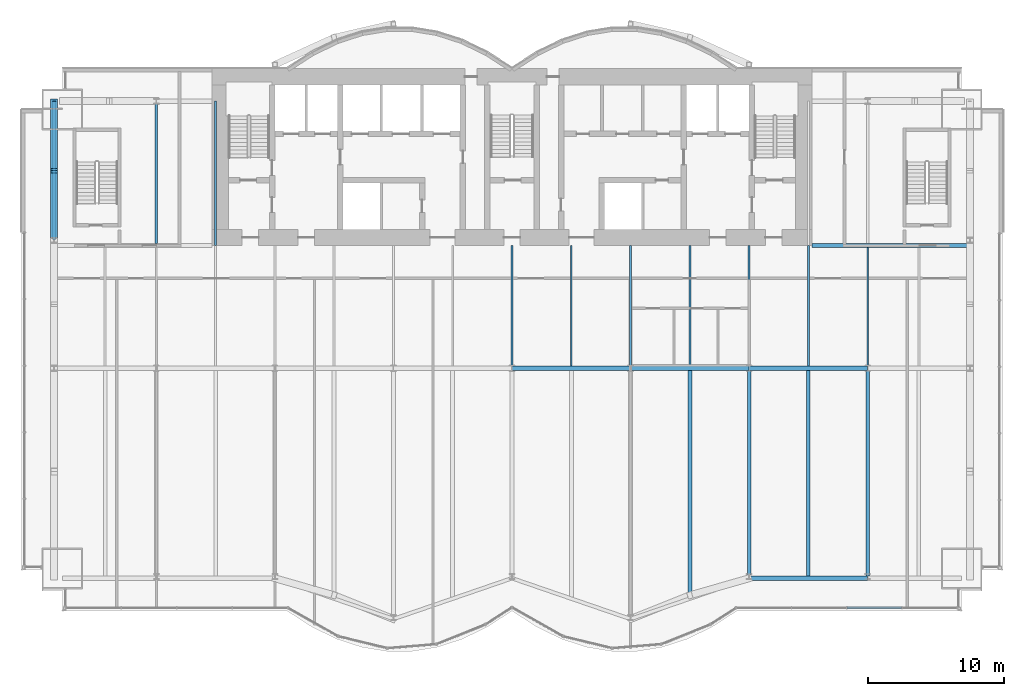
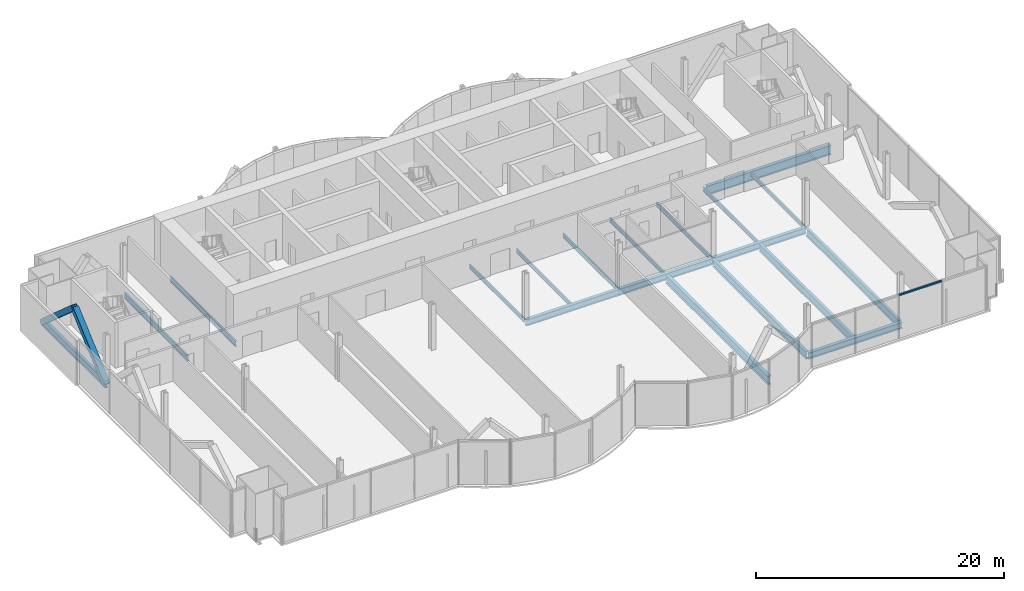
# One storey, part 9 of 21: 19 beams, 3 members, 1 element without a shape of its own.
"""IFC4 building model written with IfcOpenShell, lengths in metres."""

from ifc_helpers import new_model, si_unit, direction, frame, origin, origin_2d, place, context, subcontext, project, spatial, rectangle, hollow_rectangle, i_section, extrude, material, material_profile, profile_set, type_object, element, aggregate, save


model = new_model("IFC4")

# Units and contexts
model_context = context("Model", 3, precision=1e-05, world=origin(), true_north=direction((0.0, 1.0)))
body_context = subcontext(model_context, "Body", "Model", "MODEL_VIEW")
ifc_project = project(units=[si_unit("LENGTHUNIT", "METRE"), si_unit("AREAUNIT", "SQUARE_METRE"), si_unit("VOLUMEUNIT", "CUBIC_METRE"), si_unit("PLANEANGLEUNIT", "RADIAN"), si_unit("MASSUNIT", "GRAM", prefix="KILO")], contexts=[model_context])

# Site, building, storey
site_placement = place(None, origin())
site = spatial("IfcSite", under=ifc_project, at=site_placement, CompositionType="ELEMENT")
building_placement = place(site_placement, origin())
building = spatial("IfcBuilding", under=site, at=building_placement, Name="Bicima Exchange Tower", CompositionType="ELEMENT")
storey_placement = place(building_placement, frame((0.0, 0.0, 75.5)))
storey = spatial("IfcBuildingStorey", under=building, at=storey_placement, Name="L15", CompositionType="ELEMENT", Elevation=75.5)

# Beams
ifc_material_1 = material(Name="Steel ASTM A992 Gr 50", Category="steel")
ifc_material_profile_1 = material_profile(ifc_material_1, i_section(OverallWidth=0.3046875, OverallDepth=0.911865234375, WebThickness=0.015869140625, FlangeThickness=0.02392578125, at=origin_2d()))
ifc_profile_set_1 = profile_set([ifc_material_profile_1], Name="Steel ASTM A992 Gr 50")
beam_type_1 = type_object("IfcBeamType", Name="Core-line girder W36x150", PredefinedType="BEAM", material=ifc_profile_set_1)
beam_1_placement = place(storey_placement, frame((22.0, -13.0, -0.60595703125), z_axis=(1.0, 0.0, 0.0), x_axis=(0.0, 1.0, 0.0)))
element("IfcBeam", 1, at=beam_1_placement, inside=storey, type_object=beam_type_1, Name="Core-line girder", PredefinedType="BEAM", context=body_context, shape_type="SweptSolid", body=[
    extrude(i_section(OverallWidth=0.3046875, OverallDepth=0.911865234375, WebThickness=0.015869140625, FlangeThickness=0.02392578125, at=origin_2d()), origin(), (0.0, 0.0, 1.0), 11.60009765625),
])
ifc_material_profile_2 = material_profile(ifc_material_1, i_section(OverallWidth=0.256591796875, OverallDepth=0.693359375, WebThickness=0.014404296875, FlangeThickness=0.023681640625, at=origin_2d()))
ifc_profile_set_2 = profile_set([ifc_material_profile_2], Name="Steel ASTM A992 Gr 50")
beam_type_2 = type_object("IfcBeamType", Name="End girder W27x114", PredefinedType="BEAM", material=ifc_profile_set_2)
beam_2_placement = place(storey_placement, frame((-33.60009765625, -2.39990234375, -0.49658203125), z_axis=(0.0, -1.0, 0.0), x_axis=(1.0, 0.0, 0.0)))
element("IfcBeam", 2, at=beam_2_placement, inside=storey, type_object=beam_type_2, Name="End girder", PredefinedType="BEAM", context=body_context, shape_type="SweptSolid", body=[
    extrude(i_section(OverallWidth=0.256591796875, OverallDepth=0.693359375, WebThickness=0.014404296875, FlangeThickness=0.023681640625, at=origin_2d()), origin(), (0.0, 0.0, 1.0), 10.2001953125),
])
ifc_material_profile_3 = material_profile(ifc_material_1, i_section(OverallWidth=0.140380859375, OverallDepth=0.40380859375, WebThickness=0.007080078125, FlangeThickness=0.01123046875, at=origin_2d()))
ifc_profile_set_3 = profile_set([ifc_material_profile_3], Name="Steel ASTM A992 Gr 50")
beam_type_3 = type_object("IfcBeamType", Name="Floor beam W16x31", PredefinedType="JOIST", material=ifc_profile_set_3)
for number, where, z_axis, x_axis, name in (
    (3, (0.0, -13.0, -0.351806640625), (0.0, -1.0, 0.0), (1.0, 0.0, 0.0), "Floor beam"),
    (4, (4.35009765625, -13.0, -0.351806640625), (0.0, -1.0, 0.0), (1.0, 0.0, 0.0), "Floor beam"),
    (5, (8.699951171875, -13.0, -0.351806640625), (0.0, -1.0, 0.0), (1.0, 0.0, 0.0), "Floor beam"),
    (6, (13.050048828125, -13.0, -0.351806640625), (0.0, -1.0, 0.0), (1.0, 0.0, 0.0), "Floor beam"),
    (7, (17.39990234375, -13.0, -0.351806640625), (0.0, -1.0, 0.0), (1.0, 0.0, 0.0), "Floor beam"),
    (8, (21.75, -13.0, -0.351806640625), (0.0, -1.0, 0.0), (1.0, 0.0, 0.0), "Floor beam"),
):
    element("IfcBeam", number, at=place(storey_placement, frame(where, z_axis=z_axis, x_axis=x_axis)), inside=storey, type_object=beam_type_3, Name=name, PredefinedType="JOIST", context=body_context, shape_type="SweptSolid", body=[
        extrude(i_section(OverallWidth=0.140380859375, OverallDepth=0.40380859375, WebThickness=0.007080078125, FlangeThickness=0.01123046875, at=origin_2d()), origin(), (0.0, 0.0, 1.0), 8.83740234375),
    ])
beam_3_placement = place(storey_placement, frame((26.10009765625, -13.15234375, -0.351806640625), z_axis=(0.0, -1.0, 0.0), x_axis=(1.0, 0.0, 0.0)))
element("IfcBeam", 9, at=beam_3_placement, inside=storey, type_object=beam_type_3, Name="Floor beam", PredefinedType="JOIST", context=body_context, shape_type="SweptSolid", body=[
    extrude(i_section(OverallWidth=0.140380859375, OverallDepth=0.40380859375, WebThickness=0.007080078125, FlangeThickness=0.01123046875, at=origin_2d()), origin(), (0.0, 0.0, 1.0), 8.68505859375),
])
ifc_material_profile_4 = material_profile(ifc_material_1, i_section(OverallWidth=0.165771484375, OverallDepth=0.5283203125, WebThickness=0.009765625, FlangeThickness=0.013671875, at=origin_2d()))
ifc_profile_set_4 = profile_set([ifc_material_profile_4], Name="Steel ASTM A992 Gr 50")
beam_type_4 = type_object("IfcBeamType", Name="Floor beam W21x50", PredefinedType="JOIST", material=ifc_profile_set_4)
beam_4_placement = place(storey_placement, frame((-26.10009765625, -2.5625, -0.414306640625), z_axis=(0.0, -1.0, 0.0), x_axis=(1.0, 0.0, 0.0)))
element("IfcBeam", 10, at=beam_4_placement, inside=storey, type_object=beam_type_4, Name="Floor beam", PredefinedType="JOIST", context=body_context, shape_type="SweptSolid", body=[
    extrude(i_section(OverallWidth=0.165771484375, OverallDepth=0.5283203125, WebThickness=0.009765625, FlangeThickness=0.013671875, at=origin_2d()), origin(), (0.0, 0.0, 1.0), 10.28515625),
])
beam_5_placement = place(storey_placement, frame((-21.75, -2.39990234375, -0.414306640625), z_axis=(0.0, -1.0, 0.0), x_axis=(1.0, 0.0, 0.0)))
element("IfcBeam", 11, at=beam_5_placement, inside=storey, type_object=beam_type_4, Name="Floor beam", PredefinedType="JOIST", context=body_context, shape_type="SweptSolid", body=[
    extrude(i_section(OverallWidth=0.165771484375, OverallDepth=0.5283203125, WebThickness=0.009765625, FlangeThickness=0.013671875, at=origin_2d()), origin(), (0.0, 0.0, 1.0), 10.60009765625),
])
ifc_material_profile_5 = material_profile(ifc_material_1, i_section(OverallWidth=0.2666015625, OverallDepth=0.75439453125, WebThickness=0.01318359375, FlangeThickness=0.01708984375, at=origin_2d()))
ifc_profile_set_5 = profile_set([ifc_material_profile_5], Name="Steel ASTM A992 Gr 50")
beam_type_5 = type_object("IfcBeamType", Name="Floor beam W30x99", PredefinedType="JOIST", material=ifc_profile_set_5)
beam_6_placement = place(storey_placement, frame((17.39990234375, -22.16259765625, -0.527099609375), z_axis=(0.0, -1.0, 0.0), x_axis=(1.0, 0.0, 0.0)))
element("IfcBeam", 12, at=beam_6_placement, inside=storey, type_object=beam_type_5, Name="Floor beam", PredefinedType="JOIST", context=body_context, shape_type="SweptSolid", body=[
    extrude(i_section(OverallWidth=0.2666015625, OverallDepth=0.75439453125, WebThickness=0.01318359375, FlangeThickness=0.01708984375, at=origin_2d()), origin(), (0.0, 0.0, 1.0), 15.105712890625),
])
for number, where, z_axis, x_axis, name in (
    (13, (21.75, -22.16259765625, -0.527099609375), (0.0, -1.0, 0.0), (1.0, 0.0, 0.0), "Floor beam"),
    (14, (26.10009765625, -22.16259765625, -0.527099609375), (0.0, -1.0, 0.0), (1.0, 0.0, 0.0), "Floor beam"),
):
    element("IfcBeam", number, at=place(storey_placement, frame(where, z_axis=z_axis, x_axis=x_axis)), inside=storey, type_object=beam_type_5, Name=name, PredefinedType="JOIST", context=body_context, shape_type="SweptSolid", body=[
        extrude(i_section(OverallWidth=0.2666015625, OverallDepth=0.75439453125, WebThickness=0.01318359375, FlangeThickness=0.01708984375, at=origin_2d()), origin(), (0.0, 0.0, 1.0), 15.078857421875),
    ])
ifc_material_profile_6 = material_profile(ifc_material_1, i_section(OverallWidth=0.2919921875, OverallDepth=0.835693359375, WebThickness=0.013916015625, FlangeThickness=0.018798828125, at=origin_2d()))
ifc_profile_set_6 = profile_set([ifc_material_profile_6], Name="Steel ASTM A992 Gr 50")
beam_type_6 = type_object("IfcBeamType", Name="Floor beam W33x118", PredefinedType="JOIST", material=ifc_profile_set_6)
beam_7_placement = place(storey_placement, frame((13.050048828125, -22.16259765625, -0.56787109375), z_axis=(0.0, -1.0, 0.0), x_axis=(1.0, 0.0, 0.0)))
element("IfcBeam", 15, at=beam_7_placement, inside=storey, type_object=beam_type_6, Name="Floor beam", PredefinedType="JOIST", context=body_context, shape_type="SweptSolid", body=[
    extrude(i_section(OverallWidth=0.2919921875, OverallDepth=0.835693359375, WebThickness=0.013916015625, FlangeThickness=0.018798828125, at=origin_2d()), origin(), (0.0, 0.0, 1.0), 16.601318359375),
])
ifc_material_profile_7 = material_profile(ifc_material_1, i_section(OverallWidth=0.3251953125, OverallDepth=0.612060546875, WebThickness=0.0126953125, FlangeThickness=0.01904296875, at=origin_2d()))
ifc_profile_set_7 = profile_set([ifc_material_profile_7], Name="Steel ASTM A992 Gr 50")
beam_type_7 = type_object("IfcBeamType", Name="Front girder W24x104", PredefinedType="BEAM", material=ifc_profile_set_7)
beam_8_placement = place(storey_placement, frame((17.39990234375, -37.404052734375, -0.4560546875), z_axis=(1.0, 0.0, 0.0), x_axis=(0.0, 1.0, 0.0)))
element("IfcBeam", 16, at=beam_8_placement, inside=storey, type_object=beam_type_7, Name="Front girder", PredefinedType="BEAM", context=body_context, shape_type="SweptSolid", body=[
    extrude(i_section(OverallWidth=0.3251953125, OverallDepth=0.612060546875, WebThickness=0.0126953125, FlangeThickness=0.01904296875, at=origin_2d()), origin(), (0.0, 0.0, 1.0), 8.7001953125),
])

# Curtain wall, member
ifc_material_2 = material(Name="Anodised bronze aluminium", Category="aluminium")
curtain_wall_type = type_object("IfcCurtainWallType", Name="Front glass wall", PredefinedType="NOTDEFINED", material=ifc_material_2)
curtain_wall_placement = place(storey_placement, origin())
curtain_wall = element("IfcCurtainWall", 17, at=curtain_wall_placement, inside=storey, type_object=curtain_wall_type, Name="Front glass wall L15 run 16", PredefinedType="NOTDEFINED")
ifc_material_profile_8 = material_profile(ifc_material_2, rectangle(XDim=0.159912109375, YDim=0.139892578125, at=origin_2d()))
ifc_profile_set_8 = profile_set([ifc_material_profile_8], Name="Anodised bronze aluminium")
member_type_1 = type_object("IfcMemberType", Name="Front glass wall transom 140 x 160", PredefinedType="USERDEFINED", material=ifc_profile_set_8)
member_placement = place(storey_placement, frame((24.591064453125, -39.573974609375, 4.280029296875), z_axis=(1.0, 0.0, 0.0), x_axis=(0.0, 1.0, 0.0)))
member = element("IfcMember", 18, at=member_placement, type_object=member_type_1, Name="Front glass wall transom 3.1", ObjectType="TRANSOM", PredefinedType="USERDEFINED", context=body_context, shape_type="SweptSolid", body=[
    extrude(rectangle(XDim=0.159912109375, YDim=0.139892578125, at=origin_2d()), origin(), (0.0, 0.0, 1.0), 3.989501953125),
])
aggregate(curtain_wall, [member])

# Members
ifc_material_3 = material(Name="Steel ASTM A572 Gr 50", Category="steel")
ifc_material_profile_9 = material_profile(ifc_material_3, hollow_rectangle(XDim=0.508056640625, YDim=0.508056640625, WallThickness=0.017822265625, at=origin_2d()))
ifc_profile_set_9 = profile_set([ifc_material_profile_9], Name="Steel ASTM A572 Gr 50")
member_type_2 = type_object("IfcMemberType", Name="Mega brace HSS20x20x3/4", PredefinedType="BRACE", material=ifc_profile_set_9)
for number, where, z_axis, x_axis, name in (
    (19, (-33.60009765625, -2.39990234375, -0.49658203125), (0.0, -0.749844140428, 0.661614513948), (1.0, 0.0, 0.0), "Mega brace west end"),
    (20, (-33.60009765625, -12.60009765625, -0.49658203125), (0.0, 0.749844140428, 0.661614513948), (-1.0, 0.0, 0.0), "Mega brace west end"),
):
    element("IfcMember", number, at=place(storey_placement, frame(where, z_axis=z_axis, x_axis=x_axis)), inside=storey, type_object=member_type_2, Name=name, PredefinedType="BRACE", context=body_context, shape_type="SweptSolid", body=[
        extrude(hollow_rectangle(XDim=0.508056640625, YDim=0.508056640625, WallThickness=0.017822265625, at=origin_2d()), origin(), (0.0, 0.0, 1.0), 6.801513671875),
    ])

# Beams
beam_type_8 = type_object("IfcBeamType", Name="Row girder W24x104", PredefinedType="BEAM", material=ifc_profile_set_7)
for number, where, z_axis, x_axis, name in (
    (21, (0.0, -22.0, -0.4560546875), (1.0, 0.0, 0.0), (0.0, 1.0, 0.0), "Row girder"),
    (22, (8.699951171875, -22.0, -0.4560546875), (1.0, 0.0, 0.0), (0.0, 1.0, 0.0), "Row girder"),
):
    element("IfcBeam", number, at=place(storey_placement, frame(where, z_axis=z_axis, x_axis=x_axis)), inside=storey, type_object=beam_type_8, Name=name, PredefinedType="BEAM", context=body_context, shape_type="SweptSolid", body=[
        extrude(i_section(OverallWidth=0.3251953125, OverallDepth=0.612060546875, WebThickness=0.0126953125, FlangeThickness=0.01904296875, at=origin_2d()), origin(), (0.0, 0.0, 1.0), 8.699951171875),
    ])
beam_9_placement = place(storey_placement, frame((17.39990234375, -22.0, -0.4560546875), z_axis=(1.0, 0.0, 0.0), x_axis=(0.0, 1.0, 0.0)))
element("IfcBeam", 23, at=beam_9_placement, inside=storey, type_object=beam_type_8, Name="Row girder", PredefinedType="BEAM", context=body_context, shape_type="SweptSolid", body=[
    extrude(i_section(OverallWidth=0.3251953125, OverallDepth=0.612060546875, WebThickness=0.0126953125, FlangeThickness=0.01904296875, at=origin_2d()), origin(), (0.0, 0.0, 1.0), 8.7001953125),
])

save(model, "model.ifc")
